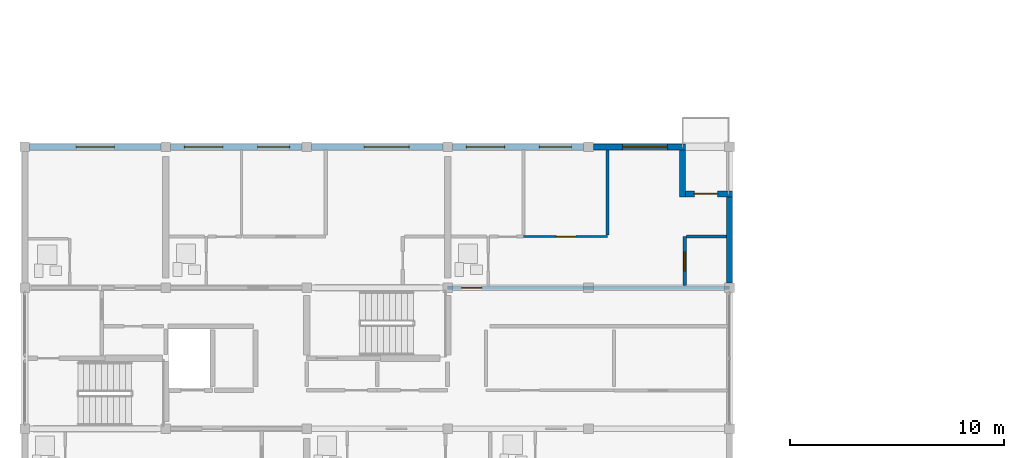
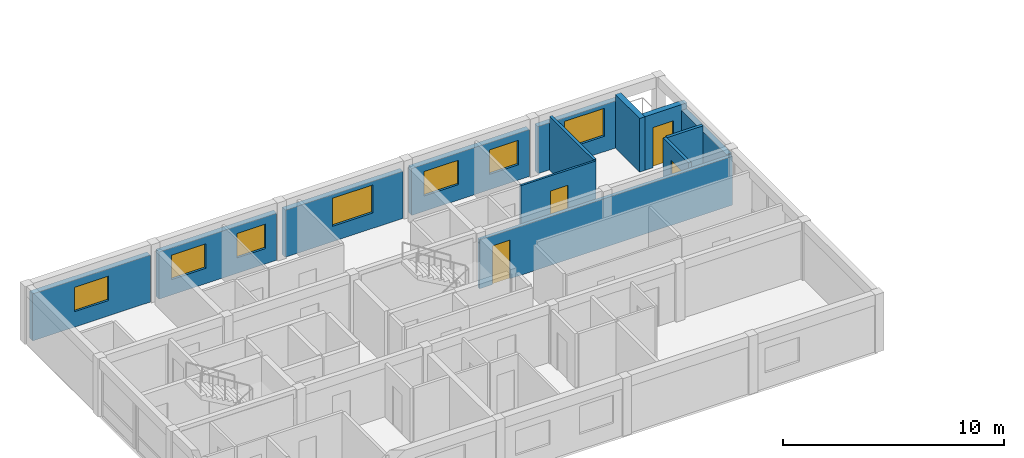
# One storey, part 22 of 34: 13 walls, 7 windows, 4 doors, 11 openings.
"""IFC4 building model written with IfcOpenShell, lengths in metres."""

from ifc_helpers import new_model, si_unit, direction, frame, frame_2d, origin, place, context, subcontext, project, spatial, rectangle, extrude, material, layer, layer_set, type_object, element, fill, save


model = new_model("IFC4")

# Units and contexts
model_context = context("Model", 3, precision=1e-05, world=origin(), true_north=direction((0.0, 1.0)))
body_context = subcontext(model_context, "Body", "Model", "MODEL_VIEW")
ifc_project = project(units=[si_unit("LENGTHUNIT", "METRE"), si_unit("AREAUNIT", "SQUARE_METRE"), si_unit("VOLUMEUNIT", "CUBIC_METRE"), si_unit("PLANEANGLEUNIT", "RADIAN"), si_unit("MASSUNIT", "GRAM", prefix="KILO")], contexts=[model_context])

# Site, building, storey
site_placement = place(None, origin())
site = spatial("IfcSite", under=ifc_project, at=site_placement, CompositionType="ELEMENT")
building_placement = place(site_placement, origin())
building = spatial("IfcBuilding", under=site, at=building_placement, Name="Kernevlak Ridge Housing Community", CompositionType="ELEMENT")
storey_placement = place(building_placement, frame((0.0, 0.0, 34.0)))
storey = spatial("IfcBuildingStorey", under=building, at=storey_placement, Name="L10", CompositionType="ELEMENT", Elevation=34.0)

# Wall, opening, window
ifc_material_1 = material(Name="Concrete block masonry M10", Category="masonry")
ifc_layer_1 = layer(ifc_material_1, 0.280029296875, Name="Concrete block masonry M10")
ifc_layer_set_1 = layer_set([ifc_layer_1], Name="Concrete block masonry M10")
wall_type_1 = type_object("IfcWallType", Name="EW-03", PredefinedType="STANDARD", material=ifc_layer_set_1)
wall_1_placement = place(storey_placement, frame((15.824951171875, 95.800048828125, 0.0), z_axis=(0.0, 0.0, 1.0), x_axis=(1.0, 0.0, 0.0)))
wall_1 = element("IfcWall", 1, at=wall_1_placement, inside=storey, type_object=wall_type_1, Name="Exterior wall EW-03 L10 162", PredefinedType="STANDARD", context=body_context, shape_type="SweptSolid", body=[
    extrude(rectangle(XDim=6.150146484375, YDim=0.280029296875, at=frame_2d((3.0751953125, 0.0))), origin(), (0.0, 0.0, 1.0), 2.60009765625),
])
opening_1_placement = place(wall_1_placement, frame((2.175048828125, 0.0, 0.85009765625)))
opening_1 = element("IfcOpeningElement", 2, at=opening_1_placement, cuts=wall_1, Name="Opening WT-03", PredefinedType="OPENING", context=body_context, shape_type="SweptSolid", body=[
    extrude(rectangle(XDim=1.800048828125, YDim=1.35009765625, at=frame_2d((0.89990234375, 0.675048828125))), frame((0.0, 0.14990234375, 0.0), z_axis=(0.0, -1.0, 0.0), x_axis=(1.0, 0.0, 0.0)), (0.0, 0.0, 1.0), 0.300048828125),
])
ifc_material_2 = material(Name="Aluminium EN AW-6060 anodised and laminated glass", Category="aluminium")
window_type_1 = type_object("IfcWindowType", Name="WT-03", PartitioningType="SINGLE_PANEL", PredefinedType="WINDOW", material=ifc_material_2)
window_1_placement = place(opening_1_placement, origin())
window_1 = element("IfcWindow", 3, at=window_1_placement, inside=storey, type_object=window_type_1, Name="Window WT-03 L10 128", OverallHeight=1.35009765625, OverallWidth=1.800048828125, PartitioningType="SINGLE_PANEL", PredefinedType="WINDOW", context=body_context, shape_type="SweptSolid", body=[
    extrude(rectangle(XDim=1.800048828125, YDim=1.35009765625, at=frame_2d((0.89990234375, 0.675048828125))), frame((0.0, 0.030029296875, 0.0), z_axis=(0.0, -1.0, 0.0), x_axis=(1.0, 0.0, 0.0)), (0.0, 0.0, 1.0), 0.06005859375),
])
fill(opening_1, window_1)

# Wall, openings, windows
wall_2_placement = place(storey_placement, frame((22.425048828125, 95.800048828125, 0.0), z_axis=(0.0, 0.0, 1.0), x_axis=(1.0, 0.0, 0.0)))
wall_2 = element("IfcWall", 4, at=wall_2_placement, inside=storey, type_object=wall_type_1, Name="Exterior wall EW-03 L10 163", PredefinedType="STANDARD", context=body_context, shape_type="SweptSolid", body=[
    extrude(rectangle(XDim=6.14990234375, YDim=0.280029296875, at=frame_2d((3.074951171875, 0.0))), origin(), (0.0, 0.0, 1.0), 2.60009765625),
])
opening_2_placement = place(wall_2_placement, frame((0.64990234375, 0.0, 0.85009765625)))
opening_2 = element("IfcOpeningElement", 5, at=opening_2_placement, cuts=wall_2, Name="Opening WT-03", PredefinedType="OPENING", context=body_context, shape_type="SweptSolid", body=[
    extrude(rectangle(XDim=1.800048828125, YDim=1.35009765625, at=frame_2d((0.89990234375, 0.675048828125))), frame((0.0, 0.14990234375, 0.0), z_axis=(0.0, -1.0, 0.0), x_axis=(1.0, 0.0, 0.0)), (0.0, 0.0, 1.0), 0.300048828125),
])
opening_3_placement = place(wall_2_placement, frame((4.074951171875, 0.0, 0.85009765625)))
opening_3 = element("IfcOpeningElement", 6, at=opening_3_placement, cuts=wall_2, Name="Opening WT-02", PredefinedType="OPENING", context=body_context, shape_type="SweptSolid", body=[
    extrude(rectangle(XDim=1.5, YDim=1.35009765625, at=frame_2d((0.75, 0.675048828125))), frame((0.0, 0.14990234375, 0.0), z_axis=(0.0, -1.0, 0.0), x_axis=(1.0, 0.0, 0.0)), (0.0, 0.0, 1.0), 0.300048828125),
])
window_type_2 = type_object("IfcWindowType", Name="WT-02", PartitioningType="SINGLE_PANEL", PredefinedType="WINDOW", material=ifc_material_2)
window_2_placement = place(opening_3_placement, origin())
window_2 = element("IfcWindow", 7, at=window_2_placement, inside=storey, type_object=window_type_2, Name="Window WT-02 L10 130", OverallHeight=1.35009765625, OverallWidth=1.5, PartitioningType="SINGLE_PANEL", PredefinedType="WINDOW", context=body_context, shape_type="SweptSolid", body=[
    extrude(rectangle(XDim=1.5, YDim=1.35009765625, at=frame_2d((0.75, 0.675048828125))), frame((0.0, 0.030029296875, 0.0), z_axis=(0.0, -1.0, 0.0), x_axis=(1.0, 0.0, 0.0)), (0.0, 0.0, 1.0), 0.06005859375),
])
fill(opening_3, window_2)
window_3_placement = place(opening_2_placement, origin())
window_3 = element("IfcWindow", 8, at=window_3_placement, inside=storey, type_object=window_type_1, Name="Window WT-03 L10 129", OverallHeight=1.35009765625, OverallWidth=1.800048828125, PartitioningType="SINGLE_PANEL", PredefinedType="WINDOW", context=body_context, shape_type="SweptSolid", body=[
    extrude(rectangle(XDim=1.800048828125, YDim=1.35009765625, at=frame_2d((0.89990234375, 0.675048828125))), frame((0.0, 0.030029296875, 0.0), z_axis=(0.0, -1.0, 0.0), x_axis=(1.0, 0.0, 0.0)), (0.0, 0.0, 1.0), 0.06005859375),
])
fill(opening_2, window_3)

# Wall, opening, window
wall_3_placement = place(storey_placement, frame((29.02490234375, 95.800048828125, 0.0), z_axis=(0.0, 0.0, 1.0), x_axis=(1.0, 0.0, 0.0)))
wall_3 = element("IfcWall", 9, at=wall_3_placement, inside=storey, type_object=wall_type_1, Name="Exterior wall EW-03 L10 164", PredefinedType="STANDARD", context=body_context, shape_type="SweptSolid", body=[
    extrude(rectangle(XDim=6.150146484375, YDim=0.280029296875, at=frame_2d((3.0751953125, 0.0))), origin(), (0.0, 0.0, 1.0), 2.60009765625),
])
opening_4_placement = place(wall_3_placement, frame((2.470947265625, 0.0, 0.85009765625)))
opening_4 = element("IfcOpeningElement", 10, at=opening_4_placement, cuts=wall_3, Name="Opening WT-05", PredefinedType="OPENING", context=body_context, shape_type="SweptSolid", body=[
    extrude(rectangle(XDim=2.10009765625, YDim=1.550048828125, at=frame_2d((1.050048828125, 0.77490234375))), frame((0.0, 0.14990234375, 0.0), z_axis=(0.0, -1.0, 0.0), x_axis=(1.0, 0.0, 0.0)), (0.0, 0.0, 1.0), 0.300048828125),
])
window_type_3 = type_object("IfcWindowType", Name="WT-05", PartitioningType="SINGLE_PANEL", PredefinedType="WINDOW", material=ifc_material_2)
window_4_placement = place(opening_4_placement, origin())
window_4 = element("IfcWindow", 11, at=window_4_placement, inside=storey, type_object=window_type_3, Name="Window WT-05 L10 131", OverallHeight=1.550048828125, OverallWidth=2.10009765625, PartitioningType="SINGLE_PANEL", PredefinedType="WINDOW", context=body_context, shape_type="SweptSolid", body=[
    extrude(rectangle(XDim=2.10009765625, YDim=1.550048828125, at=frame_2d((1.050048828125, 0.77490234375))), frame((0.0, 0.030029296875, 0.0), z_axis=(0.0, -1.0, 0.0), x_axis=(1.0, 0.0, 0.0)), (0.0, 0.0, 1.0), 0.06005859375),
])
fill(opening_4, window_4)

# Wall, openings, windows
wall_4_placement = place(storey_placement, frame((35.625, 95.800048828125, 0.0), z_axis=(0.0, 0.0, 1.0), x_axis=(1.0, 0.0, 0.0)))
wall_4 = element("IfcWall", 12, at=wall_4_placement, inside=storey, type_object=wall_type_1, Name="Exterior wall EW-03 L10 165", PredefinedType="STANDARD", context=body_context, shape_type="SweptSolid", body=[
    extrude(rectangle(XDim=6.14990234375, YDim=0.280029296875, at=frame_2d((3.074951171875, 0.0))), origin(), (0.0, 0.0, 1.0), 2.60009765625),
])
opening_5_placement = place(wall_4_placement, frame((0.64990234375, 0.0, 0.85009765625)))
opening_5 = element("IfcOpeningElement", 13, at=opening_5_placement, cuts=wall_4, Name="Opening WT-03", PredefinedType="OPENING", context=body_context, shape_type="SweptSolid", body=[
    extrude(rectangle(XDim=1.800048828125, YDim=1.35009765625, at=frame_2d((0.89990234375, 0.675048828125))), frame((0.0, 0.14990234375, 0.0), z_axis=(0.0, -1.0, 0.0), x_axis=(1.0, 0.0, 0.0)), (0.0, 0.0, 1.0), 0.300048828125),
])
opening_6_placement = place(wall_4_placement, frame((4.074951171875, 0.0, 0.85009765625)))
opening_6 = element("IfcOpeningElement", 14, at=opening_6_placement, cuts=wall_4, Name="Opening WT-02", PredefinedType="OPENING", context=body_context, shape_type="SweptSolid", body=[
    extrude(rectangle(XDim=1.5, YDim=1.35009765625, at=frame_2d((0.75, 0.675048828125))), frame((0.0, 0.14990234375, 0.0), z_axis=(0.0, -1.0, 0.0), x_axis=(1.0, 0.0, 0.0)), (0.0, 0.0, 1.0), 0.300048828125),
])
window_5_placement = place(opening_6_placement, origin())
window_5 = element("IfcWindow", 15, at=window_5_placement, inside=storey, type_object=window_type_2, Name="Window WT-02 L10 133", OverallHeight=1.35009765625, OverallWidth=1.5, PartitioningType="SINGLE_PANEL", PredefinedType="WINDOW", context=body_context, shape_type="SweptSolid", body=[
    extrude(rectangle(XDim=1.5, YDim=1.35009765625, at=frame_2d((0.75, 0.675048828125))), frame((0.0, 0.030029296875, 0.0), z_axis=(0.0, -1.0, 0.0), x_axis=(1.0, 0.0, 0.0)), (0.0, 0.0, 1.0), 0.06005859375),
])
fill(opening_6, window_5)
window_6_placement = place(opening_5_placement, origin())
window_6 = element("IfcWindow", 16, at=window_6_placement, inside=storey, type_object=window_type_1, Name="Window WT-03 L10 132", OverallHeight=1.35009765625, OverallWidth=1.800048828125, PartitioningType="SINGLE_PANEL", PredefinedType="WINDOW", context=body_context, shape_type="SweptSolid", body=[
    extrude(rectangle(XDim=1.800048828125, YDim=1.35009765625, at=frame_2d((0.89990234375, 0.675048828125))), frame((0.0, 0.030029296875, 0.0), z_axis=(0.0, -1.0, 0.0), x_axis=(1.0, 0.0, 0.0)), (0.0, 0.0, 1.0), 0.06005859375),
])
fill(opening_5, window_6)

# Wall, opening, window
wall_5_placement = place(storey_placement, frame((42.22509765625, 95.800048828125, 0.0), z_axis=(0.0, 0.0, 1.0), x_axis=(1.0, 0.0, 0.0)))
wall_5 = element("IfcWall", 17, at=wall_5_placement, inside=storey, type_object=wall_type_1, Name="Exterior wall EW-03 L10 166", PredefinedType="STANDARD", context=body_context, shape_type="SweptSolid", body=[
    extrude(rectangle(XDim=4.31494140625, YDim=0.280029296875, at=frame_2d((2.157470703125, 0.0))), origin(), (0.0, 0.0, 1.0), 2.60009765625),
])
opening_7_placement = place(wall_5_placement, frame((1.37109375, 0.0, 0.85009765625)))
opening_7 = element("IfcOpeningElement", 18, at=opening_7_placement, cuts=wall_5, Name="Opening WT-05", PredefinedType="OPENING", context=body_context, shape_type="SweptSolid", body=[
    extrude(rectangle(XDim=2.10009765625, YDim=1.550048828125, at=frame_2d((1.050048828125, 0.77490234375))), frame((0.0, 0.14990234375, 0.0), z_axis=(0.0, -1.0, 0.0), x_axis=(1.0, 0.0, 0.0)), (0.0, 0.0, 1.0), 0.300048828125),
])
window_7_placement = place(opening_7_placement, origin())
window_7 = element("IfcWindow", 19, at=window_7_placement, inside=storey, type_object=window_type_3, Name="Window WT-05 L10 134", OverallHeight=1.550048828125, OverallWidth=2.10009765625, PartitioningType="SINGLE_PANEL", PredefinedType="WINDOW", context=body_context, shape_type="SweptSolid", body=[
    extrude(rectangle(XDim=2.10009765625, YDim=1.550048828125, at=frame_2d((1.050048828125, 0.77490234375))), frame((0.0, 0.030029296875, 0.0), z_axis=(0.0, -1.0, 0.0), x_axis=(1.0, 0.0, 0.0)), (0.0, 0.0, 1.0), 0.06005859375),
])
fill(opening_7, window_7)

# Wall
wall_6_placement = place(storey_placement, frame((46.39990234375, 95.659912109375, 0.0), z_axis=(0.0, 0.0, 1.0), x_axis=(0.0, -1.0, 0.0)))
element("IfcWall", 20, at=wall_6_placement, inside=storey, type_object=wall_type_1, Name="Exterior wall EW-03 L10 167", PredefinedType="STANDARD", context=body_context, shape_type="SweptSolid", body=[
    extrude(rectangle(XDim=2.199951171875, YDim=0.280029296875, at=frame_2d((1.10009765625, 0.0))), origin(), (0.0, 0.0, 1.0), 2.969970703125),
])

# Wall, opening, door
wall_7_placement = place(storey_placement, frame((46.5400390625, 93.60009765625, 0.0), z_axis=(0.0, 0.0, 1.0), x_axis=(1.0, 0.0, 0.0)))
wall_7 = element("IfcWall", 21, at=wall_7_placement, inside=storey, type_object=wall_type_1, Name="Exterior wall EW-03 L10 168", PredefinedType="STANDARD", context=body_context, shape_type="SweptSolid", body=[
    extrude(rectangle(XDim=2.199951171875, YDim=0.280029296875, at=frame_2d((1.10009765625, 0.0))), origin(), (0.0, 0.0, 1.0), 2.969970703125),
])
opening_8_placement = place(wall_7_placement, frame((0.419921875, 0.0, 0.0)))
opening_8 = element("IfcOpeningElement", 22, at=opening_8_placement, cuts=wall_7, Name="Opening D350", PredefinedType="OPENING", context=body_context, shape_type="SweptSolid", body=[
    extrude(rectangle(XDim=1.080078125, YDim=2.219970703125, at=frame_2d((0.5400390625, 1.10986328125))), frame((0.0, 0.14990234375, 0.0), z_axis=(0.0, -1.0, 0.0), x_axis=(1.0, 0.0, 0.0)), (0.0, 0.0, 1.0), 0.300048828125),
])
ifc_material_3 = material(Name="Aluminium EN AW-6060 and laminated safety glass", Category="aluminium")
door_type_1 = type_object("IfcDoorType", Name="DT-34", OperationType="NOTDEFINED", PredefinedType="DOOR", material=ifc_material_3)
door_1_placement = place(opening_8_placement, origin())
door_1 = element("IfcDoor", 23, at=door_1_placement, inside=storey, type_object=door_type_1, Name="Flat A1023 corner balcony glazed door D350", OperationType="SINGLE_SWING_RIGHT", OverallHeight=2.219970703125, OverallWidth=1.080078125, PredefinedType="DOOR", context=body_context, shape_type="SweptSolid", body=[
    extrude(rectangle(XDim=1.080078125, YDim=2.219970703125, at=frame_2d((0.5400390625, 1.10986328125))), frame((0.0, 0.02490234375, 0.0), z_axis=(0.0, -1.0, 0.0), x_axis=(1.0, 0.0, 0.0)), (0.0, 0.0, 1.0), 0.050048828125),
])
fill(opening_8, door_1)

# Wall
wall_8_placement = place(storey_placement, frame((48.60009765625, 89.425048828125, 0.0), z_axis=(0.0, 0.0, 1.0), x_axis=(0.0, 1.0, 0.0)))
element("IfcWall", 24, at=wall_8_placement, inside=storey, type_object=wall_type_1, Name="Exterior wall EW-03 L10 172", PredefinedType="STANDARD", context=body_context, shape_type="SweptSolid", body=[
    extrude(rectangle(XDim=4.034912109375, YDim=0.280029296875, at=frame_2d((2.017578125, 0.0))), origin(), (0.0, 0.0, 1.0), 2.64990234375),
])

# Wall, opening, door
ifc_layer_2 = layer(ifc_material_1, 0.175048828125, Name="Concrete block masonry M10")
ifc_layer_set_2 = layer_set([ifc_layer_2], Name="Concrete block masonry M10")
wall_type_2 = type_object("IfcWallType", Name="PW-02", PredefinedType="PARTITIONING", material=ifc_layer_set_2)
wall_9_placement = place(storey_placement, frame((35.39990234375, 89.199951171875, 0.0), z_axis=(0.0, 0.0, 1.0), x_axis=(1.0, 0.0, 0.0)))
wall_9 = element("IfcWall", 25, at=wall_9_placement, inside=storey, type_object=wall_type_2, Name="Interior wall PW-02 WAL-INT-L10-0684", PredefinedType="PARTITIONING", context=body_context, shape_type="SweptSolid", body=[
    extrude(rectangle(XDim=13.2001953125, YDim=0.175048828125, at=frame_2d((6.60009765625, 0.0))), origin(), (0.0, 0.0, 1.0), 2.699951171875),
])
opening_9_placement = place(wall_9_placement, frame((0.669921875, 0.0, 0.0)))
opening_9 = element("IfcOpeningElement", 26, at=opening_9_placement, cuts=wall_9, Name="Opening D345", PredefinedType="OPENING", context=body_context, shape_type="SweptSolid", body=[
    extrude(rectangle(XDim=0.919921875, YDim=2.139892578125, at=frame_2d((0.4599609375, 1.06982421875))), frame((0.0, 0.097412109375, 0.0), z_axis=(0.0, -1.0, 0.0), x_axis=(1.0, 0.0, 0.0)), (0.0, 0.0, 1.0), 0.195068359375),
])
ifc_material_4 = material(Name="Hardwood timber solid-core fire leaf", Category="wood")
door_type_2 = type_object("IfcDoorType", Name="DT-20", OperationType="NOTDEFINED", PredefinedType="DOOR", material=ifc_material_4)
door_2_placement = place(opening_9_placement, origin())
door_2 = element("IfcDoor", 27, at=door_2_placement, inside=storey, type_object=door_type_2, Name="Flat A1023 entrance fire door D345", OperationType="SINGLE_SWING_LEFT", OverallHeight=2.139892578125, OverallWidth=0.919921875, PredefinedType="DOOR", context=body_context, shape_type="SweptSolid", body=[
    extrude(rectangle(XDim=0.919921875, YDim=2.139892578125, at=frame_2d((0.4599609375, 1.06982421875))), frame((0.0, 0.02490234375, 0.0), z_axis=(0.0, -1.0, 0.0), x_axis=(1.0, 0.0, 0.0)), (0.0, 0.0, 1.0), 0.050048828125),
])
fill(opening_9, door_2)

# Wall
ifc_layer_3 = layer(ifc_material_1, 0.14501953125, Name="Concrete block masonry M10")
ifc_layer_set_3 = layer_set([ifc_layer_3], Name="Concrete block masonry M10")
wall_type_3 = type_object("IfcWallType", Name="PW-03", PredefinedType="PARTITIONING", material=ifc_layer_set_3)
wall_10_placement = place(storey_placement, frame((42.89208984375, 91.679931640625, 0.0), z_axis=(0.0, 0.0, 1.0), x_axis=(0.0, 1.0, 0.0)))
element("IfcWall", 28, at=wall_10_placement, inside=storey, type_object=wall_type_3, Name="Interior wall PW-03 WAL-INT-L10-0692", PredefinedType="PARTITIONING", context=body_context, shape_type="SweptSolid", body=[
    extrude(rectangle(XDim=3.969970703125, YDim=0.14501953125, at=frame_2d((1.98486328125, 0.0))), origin(), (0.0, 0.0, 1.0), 2.969970703125),
])

# Wall, opening, door
ifc_material_5 = material(Name="Gypsum plasterboard EN 520", Category="gypsum")
ifc_layer_4 = layer(ifc_material_5, 0.155029296875, Name="Gypsum plasterboard EN 520")
ifc_layer_set_4 = layer_set([ifc_layer_4], Name="Gypsum plasterboard EN 520")
wall_type_4 = type_object("IfcWallType", Name="PW-05", PredefinedType="PARTITIONING", material=ifc_layer_set_4)
wall_11_placement = place(storey_placement, frame((46.5, 89.297607421875, 0.0), z_axis=(0.0, 0.0, 1.0), x_axis=(0.0, 1.0, 0.0)))
wall_11 = element("IfcWall", 29, at=wall_11_placement, inside=storey, type_object=wall_type_4, Name="Interior wall PW-05 WAL-INT-L10-0687", PredefinedType="PARTITIONING", context=body_context, shape_type="SweptSolid", body=[
    extrude(rectangle(XDim=2.302490234375, YDim=0.155029296875, at=frame_2d((1.1513671875, 0.0))), origin(), (0.0, 0.0, 1.0), 2.969970703125),
])
opening_10_placement = place(wall_11_placement, frame((0.699951171875, 0.0, 0.0)))
opening_10 = element("IfcOpeningElement", 30, at=opening_10_placement, cuts=wall_11, Name="Opening D347", PredefinedType="OPENING", context=body_context, shape_type="SweptSolid", body=[
    extrude(rectangle(XDim=0.8798828125, YDim=2.159912109375, at=frame_2d((0.43994140625, 1.080078125))), frame((0.0, 0.08740234375, 0.0), z_axis=(0.0, -1.0, 0.0), x_axis=(1.0, 0.0, 0.0)), (0.0, 0.0, 1.0), 0.175048828125),
])
ifc_material_6 = material(Name="Hardwood timber leaf", Category="wood")
door_type_3 = type_object("IfcDoorType", Name="DT-26", OperationType="NOTDEFINED", PredefinedType="DOOR", material=ifc_material_6)
door_3_placement = place(opening_10_placement, origin())
door_3 = element("IfcDoor", 31, at=door_3_placement, inside=storey, type_object=door_type_3, Name="Flat A1023 kitchen door D347", OperationType="SINGLE_SWING_LEFT", OverallHeight=2.159912109375, OverallWidth=0.8798828125, PredefinedType="DOOR", context=body_context, shape_type="SweptSolid", body=[
    extrude(rectangle(XDim=0.8798828125, YDim=2.159912109375, at=frame_2d((0.43994140625, 1.080078125))), frame((0.0, 0.02490234375, 0.0), z_axis=(0.0, -1.0, 0.0), x_axis=(1.0, 0.0, 0.0)), (0.0, 0.0, 1.0), 0.050048828125),
])
fill(opening_10, door_3)

# Wall
wall_12_placement = place(storey_placement, frame((46.58740234375, 91.60009765625, 0.0), z_axis=(0.0, 0.0, 1.0), x_axis=(1.0, 0.0, 0.0)))
element("IfcWall", 32, at=wall_12_placement, inside=storey, type_object=wall_type_4, Name="Interior wall PW-05 WAL-INT-L10-0688", PredefinedType="PARTITIONING", context=body_context, shape_type="SweptSolid", body=[
    extrude(rectangle(XDim=1.862548828125, YDim=0.155029296875, at=frame_2d((0.93115234375, 0.0))), origin(), (0.0, 0.0, 1.0), 2.969970703125),
])

# Wall, opening, door
ifc_layer_5 = layer(ifc_material_5, 0.10498046875, Name="Gypsum plasterboard EN 520")
ifc_layer_set_5 = layer_set([ifc_layer_5], Name="Gypsum plasterboard EN 520")
wall_type_5 = type_object("IfcWallType", Name="PW-06", PredefinedType="PARTITIONING", material=ifc_layer_set_5)
wall_13_placement = place(storey_placement, frame((38.949951171875, 91.60009765625, 0.0), z_axis=(0.0, 0.0, 1.0), x_axis=(1.0, 0.0, 0.0)))
wall_13 = element("IfcWall", 33, at=wall_13_placement, inside=storey, type_object=wall_type_5, Name="Interior wall PW-06 WAL-INT-L10-0691", PredefinedType="PARTITIONING", context=body_context, shape_type="SweptSolid", body=[
    extrude(rectangle(XDim=3.942138671875, YDim=0.10498046875, at=frame_2d((1.97119140625, 0.0))), origin(), (0.0, 0.0, 1.0), 2.969970703125),
])
opening_11_placement = place(wall_13_placement, frame((1.5458984375, 0.0, 0.0)))
opening_11 = element("IfcOpeningElement", 34, at=opening_11_placement, cuts=wall_13, Name="Opening D349", PredefinedType="OPENING", context=body_context, shape_type="SweptSolid", body=[
    extrude(rectangle(XDim=0.909912109375, YDim=2.139892578125, at=frame_2d((0.455078125, 1.06982421875))), frame((0.0, 0.0625, 0.0), z_axis=(0.0, -1.0, 0.0), x_axis=(1.0, 0.0, 0.0)), (0.0, 0.0, 1.0), 0.125),
])
door_type_4 = type_object("IfcDoorType", Name="DT-31", OperationType="NOTDEFINED", PredefinedType="DOOR", material=ifc_material_6)
door_4_placement = place(opening_11_placement, origin())
door_4 = element("IfcDoor", 35, at=door_4_placement, inside=storey, type_object=door_type_4, Name="Flat A1023 bedroom door D349", OperationType="SINGLE_SWING_LEFT", OverallHeight=2.139892578125, OverallWidth=0.909912109375, PredefinedType="DOOR", context=body_context, shape_type="SweptSolid", body=[
    extrude(rectangle(XDim=0.909912109375, YDim=2.139892578125, at=frame_2d((0.455078125, 1.06982421875))), frame((0.0, 0.02490234375, 0.0), z_axis=(0.0, -1.0, 0.0), x_axis=(1.0, 0.0, 0.0)), (0.0, 0.0, 1.0), 0.050048828125),
])
fill(opening_11, door_4)

save(model, "model.ifc")
